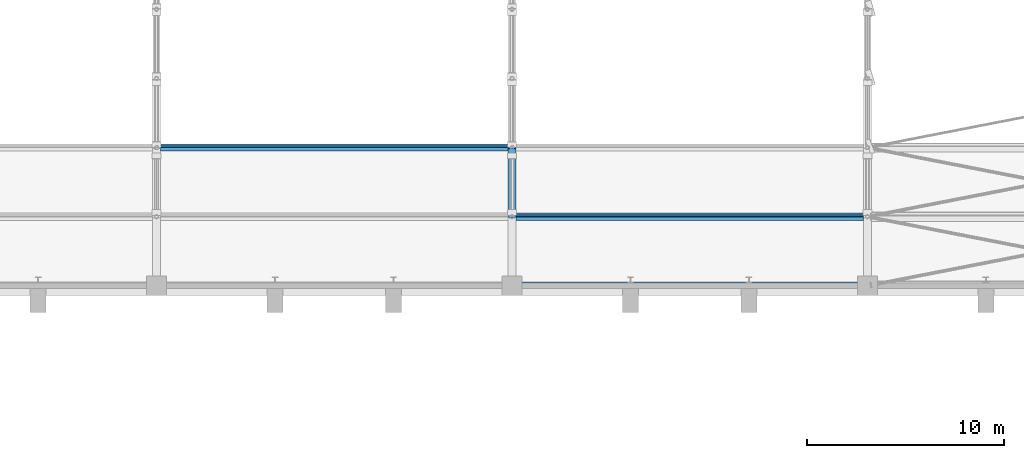
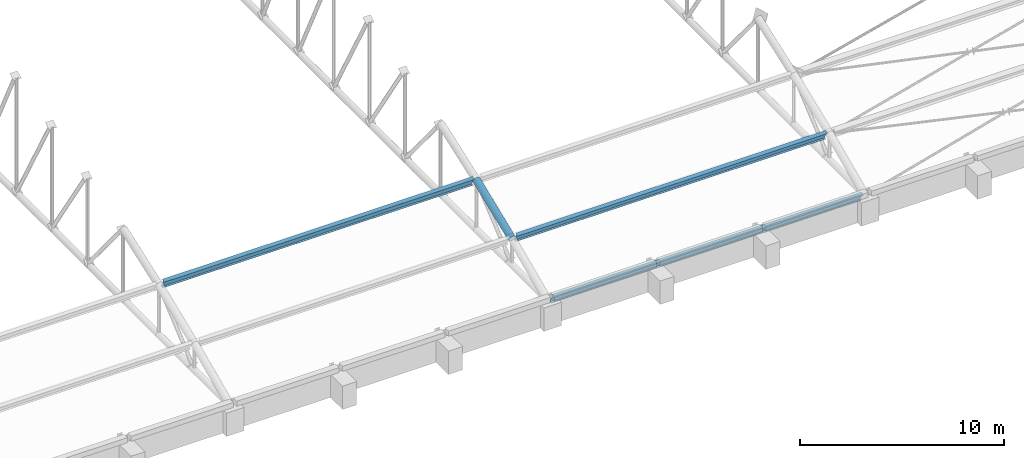
# One storey, part 39 of 196: 4 members.
"""IFC4 building model written with IfcOpenShell, lengths in metres."""

from ifc_helpers import new_model, si_unit, direction, frame, origin, origin_2d, place, context, subcontext, project, spatial, hollow_circle, i_section, extrude, material, material_profile, profile_set, type_object, element, save


model = new_model("IFC4")

# Units and contexts
model_context = context("Model", 3, precision=1e-05, world=origin(), true_north=direction((0.0, 1.0)))
body_context = subcontext(model_context, "Body", "Model", "MODEL_VIEW")
ifc_project = project(units=[si_unit("LENGTHUNIT", "METRE"), si_unit("AREAUNIT", "SQUARE_METRE"), si_unit("VOLUMEUNIT", "CUBIC_METRE"), si_unit("PLANEANGLEUNIT", "RADIAN"), si_unit("MASSUNIT", "GRAM", prefix="KILO")], contexts=[model_context])

# Site, building, storey
site_placement = place(None, origin())
site = spatial("IfcSite", under=ifc_project, at=site_placement, CompositionType="ELEMENT")
building_placement = place(site_placement, origin())
building = spatial("IfcBuilding", under=site, at=building_placement, Name="Okhra Congress Centre", CompositionType="ELEMENT")
storey_placement = place(building_placement, frame((0.0, 0.0, 12.0)))
storey = spatial("IfcBuildingStorey", under=building, at=storey_placement, Name="L02", CompositionType="ELEMENT", Elevation=12.0)

# Members
ifc_material_1 = material(Name="Steel S355J2H", Category="steel")
ifc_material_profile_1 = material_profile(ifc_material_1, hollow_circle(Radius=0.203125, WallThickness=0.02490234375, at=origin_2d()), Name="CHS 406.4x25.0")
ifc_profile_set_1 = profile_set([ifc_material_profile_1], Name="Steel S355J2H")
member_type_1 = type_object("IfcMemberType", Name="CHS 406.4x25.0", PredefinedType="CHORD", material=ifc_profile_set_1)
member_placement = place(storey_placement, frame((118.0, 135.5, 2.966796875), z_axis=(0.0, 0.927814639871, 0.373041544658), x_axis=(-1.0, 0.0, 0.0)))
element("IfcMember", 1, at=member_placement, inside=storey, type_object=member_type_1, Name="EH.MEM.L02.T6-TOP-02", PredefinedType="CHORD", context=body_context, shape_type="SweptSolid", body=[
    extrude(hollow_circle(Radius=0.203125, WallThickness=0.02490234375, at=origin_2d()), origin(), (0.0, 0.0, 1.0), 3.772216796875),
])
ifc_material_2 = material(Name="Steel S355J2", Category="steel")
ifc_material_profile_2 = material_profile(ifc_material_2, i_section(OverallWidth=0.199951171875, OverallDepth=0.5, WebThickness=0.01025390625, FlangeThickness=0.01611328125, at=origin_2d()), Name="IPE 500")
ifc_profile_set_2 = profile_set([ifc_material_profile_2], Name="Steel S355J2")
member_type_2 = type_object("IfcMemberType", Name="IPE 500", PredefinedType="PURLIN", material=ifc_profile_set_2)
for number, where, z_axis, x_axis, name in (
    (2, (100.203125, 139.0, 4.3740234375), (1.0, 0.0, 0.0), (0.0, 0.934732963292, 0.355350935465), "EH.MEM.L02.PU5-03"),
    (3, (118.203125, 132.0, 1.39990234375), (1.0, 0.0, 0.0), (0.0, 0.912721046606, 0.40858327313), "EH.MEM.L02.PU6-01"),
    (4, (118.203125, 135.5, 2.966796875), (1.0, 0.0, 0.0), (0.0, 0.920437204489, 0.390890461118), "EH.MEM.L02.PU6-02"),
):
    element("IfcMember", number, at=place(storey_placement, frame(where, z_axis=z_axis, x_axis=x_axis)), inside=storey, type_object=member_type_2, Name=name, PredefinedType="PURLIN", context=body_context, shape_type="SweptSolid", body=[
        extrude(i_section(OverallWidth=0.199951171875, OverallDepth=0.5, WebThickness=0.01025390625, FlangeThickness=0.01611328125, at=origin_2d()), origin(), (0.0, 0.0, 1.0), 17.59375),
    ])

save(model, "model.ifc")
